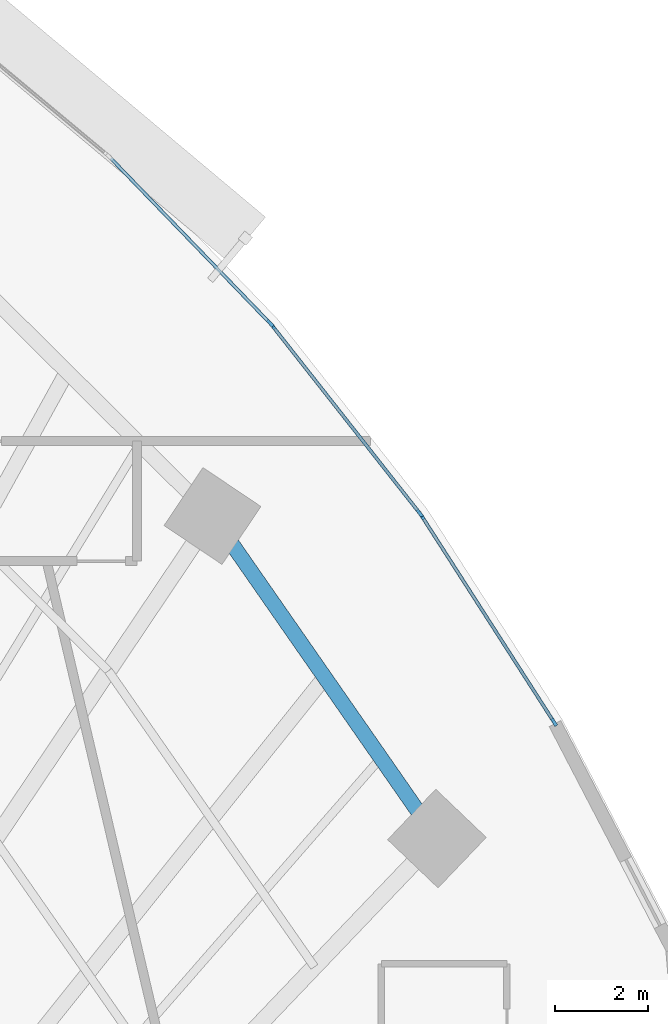
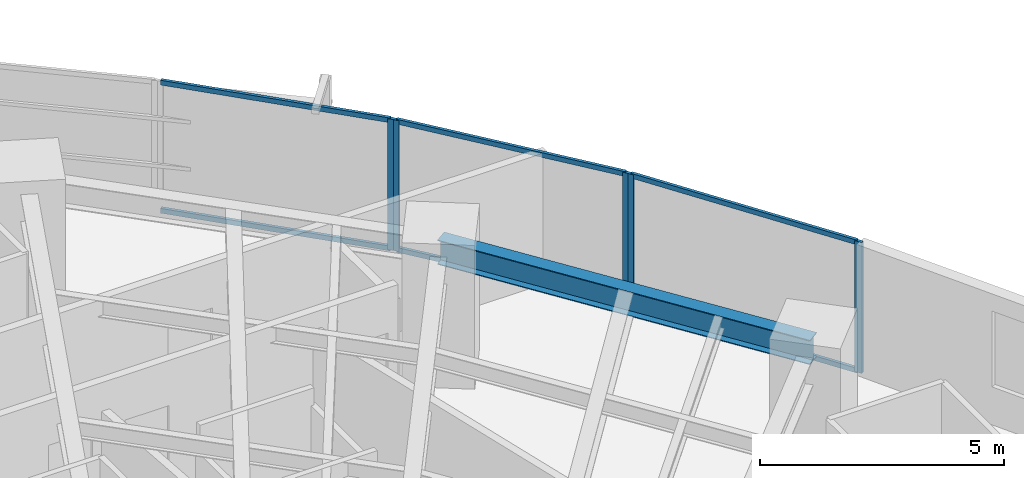
# One storey, part 8 of 17: 11 members, 1 beam, 3 elements without a shape of their own.
"""IFC4 building model written with IfcOpenShell, lengths in metres."""

from ifc_helpers import new_model, si_unit, direction, frame, origin, origin_2d, place, context, subcontext, project, spatial, rectangle, i_section, extrude, source, transform, mapped, material, layer, layer_set, material_profile, profile_set, type_object, element, aggregate, save


model = new_model("IFC4")

# Units and contexts
model_context = context("Model", 3, precision=1e-05, world=origin(), true_north=direction((0.0, 1.0)))
body_context = subcontext(model_context, "Body", "Model", "MODEL_VIEW")
ifc_project = project(units=[si_unit("LENGTHUNIT", "METRE"), si_unit("AREAUNIT", "SQUARE_METRE"), si_unit("VOLUMEUNIT", "CUBIC_METRE"), si_unit("PLANEANGLEUNIT", "RADIAN"), si_unit("MASSUNIT", "GRAM", prefix="KILO")], contexts=[model_context])

# Site, building, storey
site_placement = place(None, origin())
site = spatial("IfcSite", under=ifc_project, at=site_placement, CompositionType="ELEMENT")
building_placement = place(site_placement, origin())
building = spatial("IfcBuilding", under=site, at=building_placement, Name="Breltana Convention Tower", CompositionType="ELEMENT")
storey_placement = place(building_placement, frame((0.0, 0.0, 82.199951171875)))
storey = spatial("IfcBuildingStorey", under=building, at=storey_placement, Name="L19", CompositionType="ELEMENT", Elevation=82.199951171875)

# Beam
ifc_material_1 = material(Name="Steel ASTM A992 Grade 50", Category="steel")
ifc_material_profile_1 = material_profile(ifc_material_1, i_section(OverallWidth=0.323974609375, OverallDepth=0.611083984375, WebThickness=0.0126953125, FlangeThickness=0.01904296875, at=origin_2d()), Name="W24X104")
ifc_profile_set_1 = profile_set([ifc_material_profile_1], Name="Steel ASTM A992 Grade 50")
beam_type = type_object("IfcBeamType", Name="BM-SP-W24X104", PredefinedType="SPANDREL", material=ifc_profile_set_1)
shared_shape_1 = source(origin(), body_context, "Body", "SweptSolid", [
    extrude(i_section(OverallWidth=0.323974609375, OverallDepth=0.611083984375, WebThickness=0.0126953125, FlangeThickness=0.01904296875, at=origin_2d()), origin(), (0.0, 0.0, 1.0), 8.44970703125),
])
beam_placement = place(storey_placement, frame((75.166748046875, 62.43017578125, 2.974609375), z_axis=(0.5711855381, -0.820820979913, 0.0), x_axis=(0.820820979913, 0.5711855381, 0.0)))
element("IfcBeam", 1, at=beam_placement, inside=storey, type_object=beam_type, Name="L19 Outer Spandrel Beam 10", PredefinedType="SPANDREL", context=body_context, shape_type="MappedRepresentation", body=[
    mapped(shared_shape_1, transform((0.0, 0.0, 0.0), scale=1.0)),
])

# Curtain wall, members
ifc_material_2 = material(Name="Aluminium Anodised Bronze Frame", Category="aluminium")
ifc_layer = layer(ifc_material_2, 0.199951171875, Name="Aluminium Anodised Bronze Frame")
ifc_layer_set = layer_set([ifc_layer], Name="Aluminium Anodised Bronze Frame")
curtain_wall_type = type_object("IfcCurtainWallType", Name="CW-SYS-2", PredefinedType="NOTDEFINED", material=ifc_layer_set)
curtain_wall_1_placement = place(storey_placement, origin())
curtain_wall_1 = element("IfcCurtainWall", 2, at=curtain_wall_1_placement, inside=storey, type_object=curtain_wall_type, Name="L19 outer double-skin inner glazing 17", PredefinedType="NOTDEFINED")
ifc_material_3 = material(Name="Aluminium Anodised Bronze", Category="aluminium")
ifc_material_profile_2 = material_profile(ifc_material_3, rectangle(XDim=0.070068359375, YDim=0.1201171875, at=origin_2d()), Name="CWT-70X120")
ifc_profile_set_2 = profile_set([ifc_material_profile_2], Name="Aluminium Anodised Bronze")
member_type_1 = type_object("IfcMemberType", Name="CWT-120", PredefinedType="USERDEFINED", material=ifc_profile_set_2)
shared_shape_2 = source(origin(), body_context, "Body", "SweptSolid", [
    extrude(rectangle(XDim=0.070068359375, YDim=0.1201171875, at=origin_2d()), origin(), (0.0, 0.0, 1.0), 5.0546875),
])
member_1_placement = place(storey_placement, frame((76.4765625, 66.491455078125, 0.03515625), z_axis=(0.618135067667, -0.786071903913, 0.0), x_axis=(0.786071903913, 0.618135067667, 0.0)))
member_1 = element("IfcMember", 3, at=member_1_placement, type_object=member_type_1, Name="CW-02 transom 1.1", ObjectType="TRANSOM", PredefinedType="USERDEFINED", context=body_context, shape_type="MappedRepresentation", body=[
    mapped(shared_shape_2, transform((0.0, 0.0, 0.0), scale=1.0)),
])
member_2_placement = place(storey_placement, frame((76.4765625, 66.491455078125, 3.2451171875), z_axis=(0.618135067667, -0.786071903913, 0.0), x_axis=(0.786071903913, 0.618135067667, 0.0)))
member_2 = element("IfcMember", 4, at=member_2_placement, type_object=member_type_1, Name="CW-02 transom 1.2", ObjectType="TRANSOM", PredefinedType="USERDEFINED", context=body_context, shape_type="MappedRepresentation", body=[
    mapped(shared_shape_2, transform((0.0, 0.0, 0.0), scale=1.0)),
])

curtain_wall_2_placement = place(storey_placement, origin())
curtain_wall_2 = element("IfcCurtainWall", 5, at=curtain_wall_2_placement, inside=storey, type_object=curtain_wall_type, Name="L19 outer double-skin inner glazing 16", PredefinedType="NOTDEFINED")
shared_shape_3 = source(origin(), body_context, "Body", "SweptSolid", [
    extrude(rectangle(XDim=0.070068359375, YDim=0.1201171875, at=origin_2d()), origin(), (0.0, 0.0, 1.0), 4.901123046875),
])
member_3_placement = place(storey_placement, frame((72.980224609375, 70.12255859375, 0.03515625), z_axis=(0.6945945137, -0.719401460617, 0.0), x_axis=(0.719401460617, 0.6945945137, 0.0)))
member_3 = element("IfcMember", 6, at=member_3_placement, type_object=member_type_1, Name="CW-02 transom 1.1", ObjectType="TRANSOM", PredefinedType="USERDEFINED", context=body_context, shape_type="MappedRepresentation", body=[
    mapped(shared_shape_3, transform((0.0, 0.0, 0.0), scale=1.0)),
])
member_4_placement = place(storey_placement, frame((72.980224609375, 70.12255859375, 3.2451171875), z_axis=(0.6945945137, -0.719401460617, 0.0), x_axis=(0.719401460617, 0.6945945137, 0.0)))
member_4 = element("IfcMember", 7, at=member_4_placement, type_object=member_type_1, Name="CW-02 transom 1.2", ObjectType="TRANSOM", PredefinedType="USERDEFINED", context=body_context, shape_type="MappedRepresentation", body=[
    mapped(shared_shape_3, transform((0.0, 0.0, 0.0), scale=1.0)),
])

curtain_wall_3_placement = place(storey_placement, origin())
curtain_wall_3 = element("IfcCurtainWall", 8, at=curtain_wall_3_placement, inside=storey, type_object=curtain_wall_type, Name="L19 outer double-skin inner glazing 18", PredefinedType="NOTDEFINED")
shared_shape_4 = source(origin(), body_context, "Body", "SweptSolid", [
    extrude(rectangle(XDim=0.070068359375, YDim=0.1201171875, at=origin_2d()), origin(), (0.0, 0.0, 1.0), 5.205810546875),
])
member_5_placement = place(storey_placement, frame((79.68212890625, 62.404296875, 0.03515625), z_axis=(0.540179102764, -0.841550079875, 0.0), x_axis=(0.841550079875, 0.540179102764, 0.0)))
member_5 = element("IfcMember", 9, at=member_5_placement, type_object=member_type_1, Name="CW-02 transom 1.1", ObjectType="TRANSOM", PredefinedType="USERDEFINED", context=body_context, shape_type="MappedRepresentation", body=[
    mapped(shared_shape_4, transform((0.0, 0.0, 0.0), scale=1.0)),
])
member_6_placement = place(storey_placement, frame((79.68212890625, 62.404296875, 3.2451171875), z_axis=(0.540179102764, -0.841550079875, 0.0), x_axis=(0.841550079875, 0.540179102764, 0.0)))
member_6 = element("IfcMember", 10, at=member_6_placement, type_object=member_type_1, Name="CW-02 transom 1.2", ObjectType="TRANSOM", PredefinedType="USERDEFINED", context=body_context, shape_type="MappedRepresentation", body=[
    mapped(shared_shape_4, transform((0.0, 0.0, 0.0), scale=1.0)),
])

# Member
ifc_material_profile_3 = material_profile(ifc_material_3, rectangle(XDim=0.070068359375, YDim=0.175048828125, at=origin_2d()), Name="CWM-70X175")
ifc_profile_set_3 = profile_set([ifc_material_profile_3], Name="Aluminium Anodised Bronze")
member_type_2 = type_object("IfcMemberType", Name="CWM-175", PredefinedType="MULLION", material=ifc_profile_set_3)
shared_shape_5 = source(origin(), body_context, "Body", "SweptSolid", [
    extrude(rectangle(XDim=0.070068359375, YDim=0.175048828125, at=origin_2d()), origin(), (0.0, 0.0, 1.0), 3.280029296875),
])
member_7_placement = place(storey_placement, frame((76.408935546875, 66.571533203125, 0.0), z_axis=(0.0, 0.0, 1.0), x_axis=(0.719386421003, 0.694610090106, 0.0)))
member_7 = element("IfcMember", 11, at=member_7_placement, type_object=member_type_2, Name="CW-02 mullion 2", PredefinedType="MULLION", context=body_context, shape_type="MappedRepresentation", body=[
    mapped(shared_shape_5, transform((0.0, 0.0, 0.0), scale=1.0)),
])

aggregate(curtain_wall_2, [member_7, member_3, member_4])

member_8_placement = place(storey_placement, frame((76.454833984375, 66.518798828125, 0.0), z_axis=(0.0, 0.0, 1.0), x_axis=(0.786057080698, 0.618153917633, 0.0)))
member_8 = element("IfcMember", 12, at=member_8_placement, type_object=member_type_2, Name="CW-02 mullion 1", PredefinedType="MULLION", context=body_context, shape_type="MappedRepresentation", body=[
    mapped(shared_shape_5, transform((0.0, 0.0, 0.0), scale=1.0)),
])

member_9_placement = place(storey_placement, frame((79.62255859375, 62.49072265625, 0.0), z_axis=(0.0, 0.0, 1.0), x_axis=(0.786057080698, 0.618153917633, 0.0)))
member_9 = element("IfcMember", 13, at=member_9_placement, type_object=member_type_2, Name="CW-02 mullion 2", PredefinedType="MULLION", context=body_context, shape_type="MappedRepresentation", body=[
    mapped(shared_shape_5, transform((0.0, 0.0, 0.0), scale=1.0)),
])

aggregate(curtain_wall_1, [member_8, member_9, member_1, member_2])

member_10_placement = place(storey_placement, frame((79.6630859375, 62.43359375, 0.0), z_axis=(0.0, 0.0, 1.0), x_axis=(0.841549039154, 0.540180724109, 0.0)))
member_10 = element("IfcMember", 14, at=member_10_placement, type_object=member_type_2, Name="CW-02 mullion 1", PredefinedType="MULLION", context=body_context, shape_type="MappedRepresentation", body=[
    mapped(shared_shape_5, transform((0.0, 0.0, 0.0), scale=1.0)),
])

member_11_placement = place(storey_placement, frame((82.512939453125, 57.993896484375, 0.0), z_axis=(0.0, 0.0, 1.0), x_axis=(0.841549039154, 0.540180724109, 0.0)))
member_11 = element("IfcMember", 15, at=member_11_placement, type_object=member_type_2, Name="CW-02 mullion 2", PredefinedType="MULLION", context=body_context, shape_type="MappedRepresentation", body=[
    mapped(shared_shape_5, transform((0.0, 0.0, 0.0), scale=1.0)),
])

aggregate(curtain_wall_3, [member_10, member_11, member_5, member_6])

save(model, "model.ifc")
